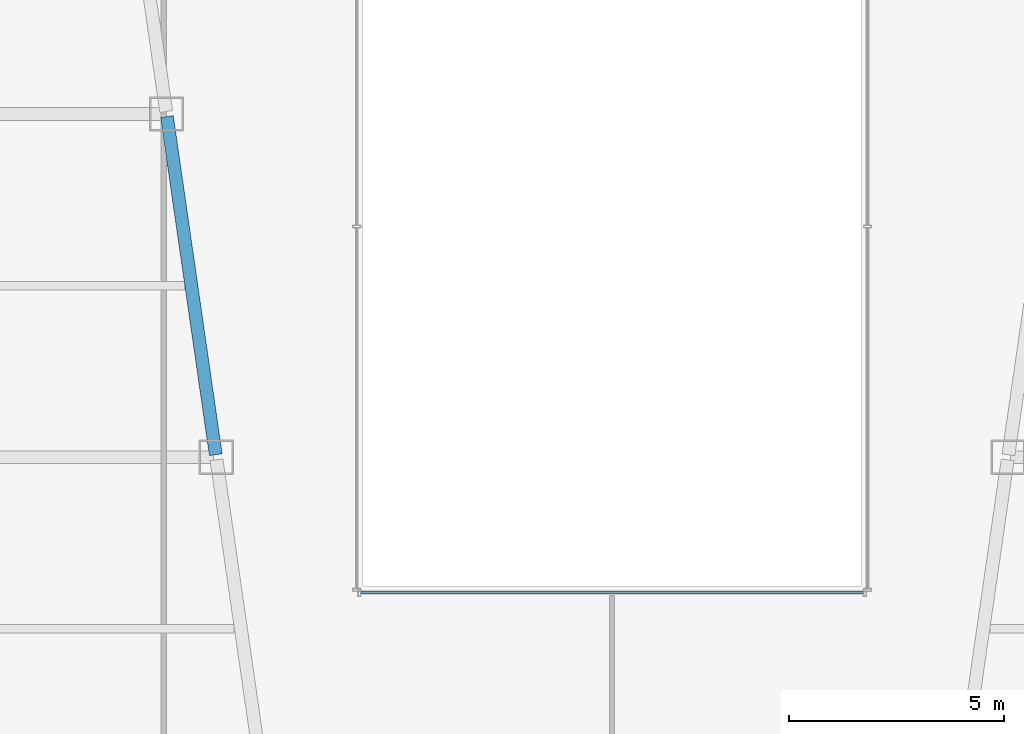
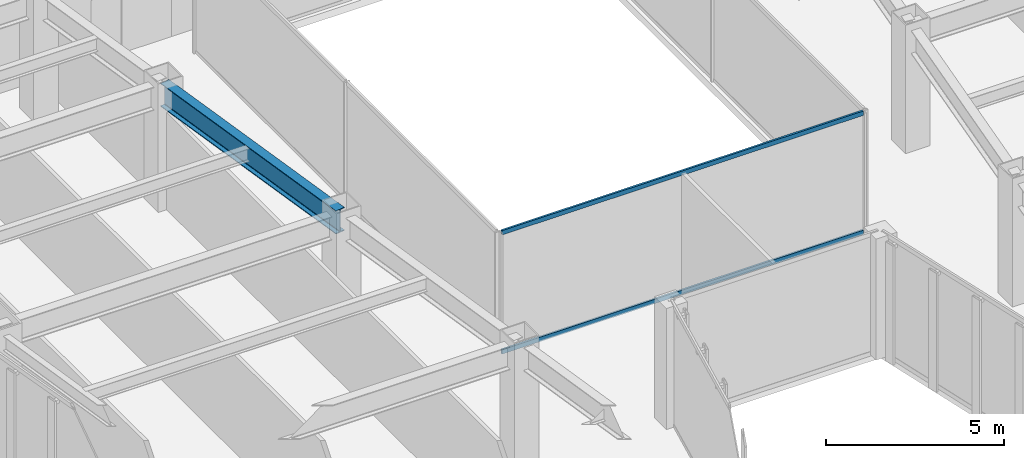
# One storey, part 13 of 47: 2 members, 1 beam, 1 element without a shape of its own.
"""IFC4 building model written with IfcOpenShell, lengths in metres."""

from ifc_helpers import new_model, si_unit, direction, frame, origin, origin_2d, place, context, subcontext, project, spatial, hollow_rectangle, i_section, extrude, material, material_profile, profile_set, type_object, element, aggregate, save


model = new_model("IFC4")

# Units and contexts
model_context = context("Model", 3, precision=1e-05, world=origin(), true_north=direction((0.0, 1.0)))
body_context = subcontext(model_context, "Body", "Model", "MODEL_VIEW")
ifc_project = project(units=[si_unit("LENGTHUNIT", "METRE"), si_unit("AREAUNIT", "SQUARE_METRE"), si_unit("VOLUMEUNIT", "CUBIC_METRE"), si_unit("PLANEANGLEUNIT", "RADIAN"), si_unit("MASSUNIT", "GRAM", prefix="KILO")], contexts=[model_context])

# Site, building, storey
site_placement = place(None, origin())
site = spatial("IfcSite", under=ifc_project, at=site_placement, CompositionType="ELEMENT")
building_placement = place(site_placement, origin())
building = spatial("IfcBuilding", under=site, at=building_placement, Name="Saevonmaru Cultural Tower", CompositionType="ELEMENT")
storey_placement = place(building_placement, frame((0.0, 0.0, 78.0)))
storey = spatial("IfcBuildingStorey", under=building, at=storey_placement, Name="L16", CompositionType="ELEMENT", Elevation=78.0)

# Beam
ifc_material_1 = material(Name="Steel SM420", Category="steel")
ifc_material_profile_1 = material_profile(ifc_material_1, i_section(OverallWidth=0.300048828125, OverallDepth=0.800048828125, WebThickness=0.013916015625, FlangeThickness=0.02587890625, FilletRadius=0.028076171875, at=origin_2d()), Name="H-800x300x14x26")
ifc_profile_set_1 = profile_set([ifc_material_profile_1], Name="Steel SM420")
beam_type = type_object("IfcBeamType", Name="BM-G-H800", PredefinedType="BEAM", material=ifc_profile_set_1)
beam_placement = place(storey_placement, frame((20.763427734375, 24.059326171875, 3.75), z_axis=(-0.142902032203, 0.989736838353, 0.0), x_axis=(-0.989736838353, -0.142902032203, 0.0)))
element("IfcBeam", 1, at=beam_placement, inside=storey, type_object=beam_type, Name="L16 West Atrium Girder 4", PredefinedType="BEAM", context=body_context, shape_type="SweptSolid", body=[
    extrude(i_section(OverallWidth=0.300048828125, OverallDepth=0.800048828125, WebThickness=0.013916015625, FlangeThickness=0.02587890625, FilletRadius=0.028076171875, at=origin_2d()), origin(), (0.0, 0.0, 1.0), 7.963134765625),
])

# Curtain wall, members
ifc_material_2 = material(Name="Satin Bronze Anodised Aluminium", Category="aluminium")
curtain_wall_type = type_object("IfcCurtainWallType", Name="CW-ATR-GLZ", PredefinedType="NOTDEFINED", material=ifc_material_2)
curtain_wall_placement = place(storey_placement, origin())
curtain_wall = element("IfcCurtainWall", 2, at=curtain_wall_placement, inside=storey, type_object=curtain_wall_type, Name="L16 Vertical Atrium Glazed Smoke Screen 1", PredefinedType="NOTDEFINED")
ifc_material_profile_2 = material_profile(ifc_material_2, hollow_rectangle(XDim=0.06494140625, YDim=0.14990234375, WallThickness=0.00390625, at=origin_2d()), Name="ALU-TRAN-150x65x4")
ifc_profile_set_2 = profile_set([ifc_material_profile_2], Name="Satin Bronze Anodised Aluminium")
member_type = type_object("IfcMemberType", Name="TR-CW-INT-150x65", PredefinedType="USERDEFINED", material=ifc_profile_set_2)
member_1_placement = place(storey_placement, frame((24.142578125, 20.85009765625, 0.032470703125), z_axis=(1.0, 0.0, 0.0), x_axis=(0.0, 1.0, 0.0)))
member_1 = element("IfcMember", 3, at=member_1_placement, type_object=member_type, Name="CW-ATR-L16-1 transom 1.1", ObjectType="TRANSOM", PredefinedType="USERDEFINED", context=body_context, shape_type="SweptSolid", body=[
    extrude(hollow_rectangle(XDim=0.06494140625, YDim=0.14990234375, WallThickness=0.00390625, at=origin_2d()), origin(), (0.0, 0.0, 1.0), 11.71484375),
])
member_2_placement = place(storey_placement, frame((24.142578125, 20.85009765625, 4.117431640625), z_axis=(1.0, 0.0, 0.0), x_axis=(0.0, 1.0, 0.0)))
member_2 = element("IfcMember", 4, at=member_2_placement, type_object=member_type, Name="CW-ATR-L16-1 transom 1.2", ObjectType="TRANSOM", PredefinedType="USERDEFINED", context=body_context, shape_type="SweptSolid", body=[
    extrude(hollow_rectangle(XDim=0.06494140625, YDim=0.14990234375, WallThickness=0.00390625, at=origin_2d()), origin(), (0.0, 0.0, 1.0), 11.71484375),
])
aggregate(curtain_wall, [member_1, member_2])

save(model, "model.ifc")
